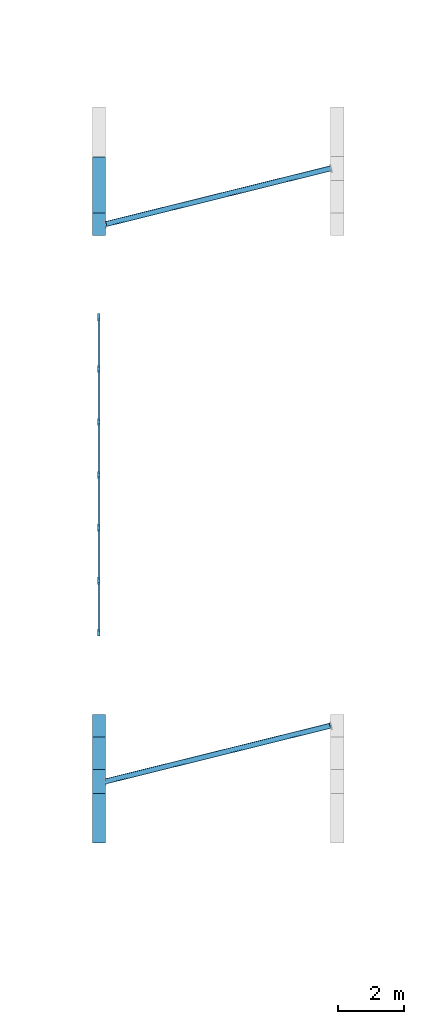
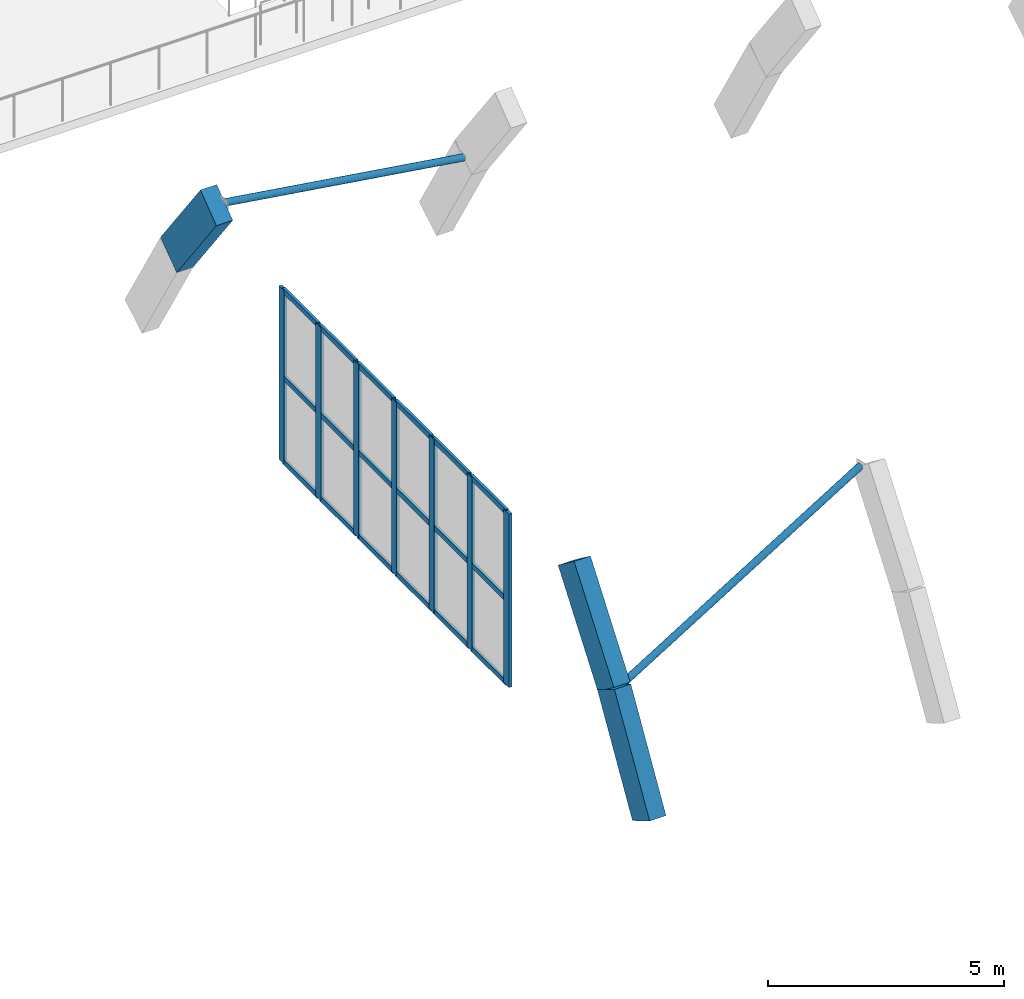
# One storey, part 19 of 85: 27 members, 3 beams, 1 element without a shape of its own.
"""IFC4 building model written with IfcOpenShell, lengths in metres."""

import ifcopenshell
import ifcopenshell.guid

model = None  # the IFC model being written
_history = None  # IfcOwnerHistory: only IFC2X3 demands one
_inside = {}  # id of a spatial element -> (the spatial element, [elements in it])
_under = {}  # id of a project, library or spatial element -> (it, [spatial elements below it])
_declared = {}  # id of a project -> (the project, [libraries it declares])
_typed = {}  # id of a type object -> (the type object, [elements of that type])
_made_of = {}  # id of a material, layer set ... -> (it, [elements and type objects made of it])


def new_model(schema):
    """Start an empty IFC model of exactly this schema.

    Asked for "IFC4X3", IfcOpenShell would pick the latest addendum, in which some entities
    have other attributes; the version numbers below select the first issue.
    IFC2X3 requires an IfcOwnerHistory on every rooted entity: one is made here for all.
    """
    global model, _history
    if schema == "IFC4X3":
        model = ifcopenshell.file(schema_version=(4, 3, 0, 0))
    else:
        model = ifcopenshell.file(schema=schema)
    _inside.clear()
    _under.clear()
    _declared.clear()
    _typed.clear()
    _made_of.clear()
    _history = None
    if model.schema == "IFC2X3":
        org = make("IfcOrganization", Name="unknown")
        user = make(
            "IfcPersonAndOrganization",
            ThePerson=make("IfcPerson", FamilyName="unknown"),
            TheOrganization=org,
        )
        app = make(
            "IfcApplication",
            ApplicationDeveloper=org,
            Version="unknown",
            ApplicationFullName="unknown",
            ApplicationIdentifier="unknown",
        )
        _history = make(
            "IfcOwnerHistory",
            OwningUser=user,
            OwningApplication=app,
            ChangeAction="ADDED",
            CreationDate=0,
        )
    return model


def make(cls, **values):
    """One entity of the class cls with the attributes given. An attribute that is None is left unset."""
    return model.create_entity(
        cls, **{name: value for name, value in values.items() if value is not None}
    )


def rooted(cls, **values):
    """An entity with a GlobalId (a new one), such as an element, a storey or a relation."""
    return make(cls, GlobalId=ifcopenshell.guid.new(), OwnerHistory=_history, **values)


def si_unit(unit_type, name, prefix=None):
    """IfcSIUnit, for example si_unit("LENGTHUNIT", "METRE", prefix="MILLI")."""
    return make("IfcSIUnit", UnitType=unit_type, Prefix=prefix, Name=name)


def assignment(units):
    """IfcUnitAssignment: the units of a project."""
    return None if units is None else make("IfcUnitAssignment", Units=units)


def point(xyz):
    """IfcCartesianPoint."""
    return None if xyz is None else make("IfcCartesianPoint", Coordinates=xyz)


def direction(xyz):
    """IfcDirection."""
    return None if xyz is None else make("IfcDirection", DirectionRatios=xyz)


def frame(location, z_axis=None, x_axis=None):
    """IfcAxis2Placement3D, a coordinate frame: its origin and axes. An axis left out is left unset."""
    return make(
        "IfcAxis2Placement3D",
        Location=point(location),
        Axis=direction(z_axis),
        RefDirection=direction(x_axis),
    )


def frame_2d(location, x_axis=None):
    """IfcAxis2Placement2D, a coordinate frame in the plane: its origin and x axis."""
    return make(
        "IfcAxis2Placement2D", Location=point(location), RefDirection=direction(x_axis)
    )


def origin():
    """The frame at (0, 0, 0) with its axes left unset."""
    return frame((0.0, 0.0, 0.0))


def origin_2d():
    """The frame at (0, 0) in the plane with its x axis left unset."""
    return frame_2d((0.0, 0.0))


def place(relative_to, where):
    """IfcLocalPlacement: puts the frame where relative to a parent placement (None: the world)."""
    return make(
        "IfcLocalPlacement", PlacementRelTo=relative_to, RelativePlacement=where
    )


def context(
    kind, dimensions, precision=None, world=None, true_north=None, identifier=None
):
    """IfcGeometricRepresentationContext, for example the 3D "Model" context."""
    return make(
        "IfcGeometricRepresentationContext",
        ContextIdentifier=identifier,
        ContextType=kind,
        CoordinateSpaceDimension=dimensions,
        Precision=precision,
        WorldCoordinateSystem=world,
        TrueNorth=true_north,
    )


def subcontext(parent, identifier, kind, view, scale=None):
    """IfcGeometricRepresentationSubContext, for example "Body" below "Model"."""
    return make(
        "IfcGeometricRepresentationSubContext",
        ContextIdentifier=identifier,
        ContextType=kind,
        ParentContext=parent,
        TargetScale=scale,
        TargetView=view,
    )


def project(units=None, contexts=None):
    """IfcProject with its units and contexts."""
    return rooted(
        "IfcProject",
        Name="project",
        RepresentationContexts=contexts,
        UnitsInContext=assignment(units),
    )


def spatial(cls, under=None, at=None, **own):
    """A site, building, storey or space (cls), placed at a placement, below another one or the project."""
    s = rooted(cls, ObjectPlacement=at, **own)
    if under is not None:
        _under.setdefault(under.id(), (under, []))[1].append(s)
    return s


def profile(cls, at=None, kind="AREA", **sizes):
    """A parametric profile (cls). Its sizes go by their IFC names, for example OverallWidth=200.0."""
    return make(cls, ProfileType=kind, Position=at, **sizes)


def rectangle(**sizes):
    """IfcRectangleProfileDef."""
    return profile("IfcRectangleProfileDef", **sizes)


def hollow_circle(**sizes):
    """IfcCircleHollowProfileDef."""
    return profile("IfcCircleHollowProfileDef", **sizes)


def extrude(swept, where, along, depth):
    """IfcExtrudedAreaSolid: the profile swept, set in the frame where, extruded along a direction by depth."""
    return make(
        "IfcExtrudedAreaSolid",
        SweptArea=swept,
        Position=where,
        ExtrudedDirection=direction(along),
        Depth=depth,
    )


def shape(context_of_items, identifier, shape_type, items):
    """IfcShapeRepresentation: the items that make up one representation, for example the "Body"."""
    return make(
        "IfcShapeRepresentation",
        ContextOfItems=context_of_items,
        RepresentationIdentifier=identifier,
        RepresentationType=shape_type,
        Items=items,
    )


def material(Name=None, Category=None):
    """IfcMaterial."""
    return make("IfcMaterial", Name=Name, Category=Category)


def layer(
    of_material, thickness, ventilated=None, Name=None, Category=None, Priority=None
):
    """IfcMaterialLayer: one layer of a wall or slab, of a material (None: an air gap)."""
    return make(
        "IfcMaterialLayer",
        Material=of_material,
        LayerThickness=thickness,
        IsVentilated=ventilated,
        Name=Name,
        Category=Category,
        Priority=Priority,
    )


def layer_set(layers, Name=None):
    """IfcMaterialLayerSet."""
    return make("IfcMaterialLayerSet", MaterialLayers=layers, LayerSetName=Name)


def material_profile(
    of_material, cross_section, Name=None, Category=None, Priority=None
):
    """IfcMaterialProfile: a cross section and its material."""
    return make(
        "IfcMaterialProfile",
        Name=Name,
        Material=of_material,
        Profile=cross_section,
        Priority=Priority,
        Category=Category,
    )


def profile_set(profiles, Name=None, composite=None):
    """IfcMaterialProfileSet."""
    return make(
        "IfcMaterialProfileSet",
        Name=Name,
        MaterialProfiles=profiles,
        CompositeProfile=composite,
    )


def made_of(thing, what):
    """Note that an element or type object is made of a material, layer set ...; save() writes the relation."""
    if what is not None:
        _made_of.setdefault(what.id(), (what, []))[1].append(thing)
    return thing


def type_object(cls, material=None, **own):
    """A type object (cls), such as IfcWallType, which elements share."""
    return made_of(rooted(cls, **own), material)


def element(
    cls,
    number,
    at=None,
    inside=None,
    cuts=None,
    type_object=None,
    material=None,
    context=None,
    identifier="Body",
    shape_type=None,
    held_by="IfcProductDefinitionShape",
    body=None,
    shapes=None,
    **own,
):
    """One element of the class cls, such as IfcWall. Its Tag is "e" and its number.

    at: its placement. inside: the storey or other place that contains it. cuts: it is an
    opening in that element (IfcRelVoidsElement). A single representation is given by context,
    identifier, shape_type and body (its items); several are given by shapes. held_by: the class
    of the entity that holds the representations. save() writes the other relations.
    """
    e = rooted(cls, Tag="e%d" % number, ObjectPlacement=at, **own)
    if body is not None:
        shapes = [shape(context, identifier, shape_type, body)]
    if shapes is not None:
        e.Representation = make(held_by, Representations=shapes)
    if inside is not None:
        _inside.setdefault(inside.id(), (inside, []))[1].append(e)
    if cuts is not None:
        rooted(
            "IfcRelVoidsElement", RelatingBuildingElement=cuts, RelatedOpeningElement=e
        )
    if type_object is not None:
        _typed.setdefault(type_object.id(), (type_object, []))[1].append(e)
    return made_of(e, material)


def aggregate(whole, parts):
    """IfcRelAggregates: a whole, such as a stair, and the parts it consists of."""
    return rooted("IfcRelAggregates", RelatingObject=whole, RelatedObjects=parts)


def save(model, path):
    """Write the relations noted so far, then the file.

    IfcRelAggregates (storeys below a building ...), IfcRelContainedInSpatialStructure (elements
    in a storey), IfcRelDefinesByType, IfcRelAssociatesMaterial and IfcRelDeclares: one each for
    every whole, place, type object, material and project.
    """
    for whole, parts in _under.values():
        aggregate(whole, parts)
    for where, things in _inside.values():
        rooted(
            "IfcRelContainedInSpatialStructure",
            RelatedElements=things,
            RelatingStructure=where,
        )
    for kind, things in _typed.values():
        rooted("IfcRelDefinesByType", RelatedObjects=things, RelatingType=kind)
    for what, things in _made_of.values():
        rooted("IfcRelAssociatesMaterial", RelatedObjects=things, RelatingMaterial=what)
    for by, libraries in _declared.values():
        rooted("IfcRelDeclares", RelatingContext=by, RelatedDefinitions=libraries)
    model.write(path)


model = new_model("IFC4")

# Units and contexts
model_context = context("Model", 3, precision=1e-05, world=origin(), true_north=direction((0.0, 1.0)))
body_context = subcontext(model_context, "Body", "Model", "MODEL_VIEW")
ifc_project = project(units=[si_unit("LENGTHUNIT", "METRE"), si_unit("AREAUNIT", "SQUARE_METRE"), si_unit("VOLUMEUNIT", "CUBIC_METRE"), si_unit("PLANEANGLEUNIT", "RADIAN"), si_unit("MASSUNIT", "GRAM", prefix="KILO")], contexts=[model_context])

# Site, building, storey
site_placement = place(None, origin())
site = spatial("IfcSite", under=ifc_project, at=site_placement, CompositionType="ELEMENT")
building_placement = place(site_placement, origin())
building = spatial("IfcBuilding", under=site, at=building_placement, Name="Ochrevale Crest", CompositionType="ELEMENT")
storey_placement = place(building_placement, frame((0.0, 0.0, 4.5)))
storey = spatial("IfcBuildingStorey", under=building, at=storey_placement, Name="L01", CompositionType="ELEMENT", Elevation=4.5)

# Beams
ifc_material_1 = material(Name="Precast concrete C50/60", Category="concrete")
ifc_material_profile_1 = material_profile(ifc_material_1, rectangle(XDim=0.39990234375, YDim=0.85009765625, at=origin_2d()), Name="PC 400x850")
ifc_profile_set_1 = profile_set([ifc_material_profile_1], Name="Precast concrete C50/60")
beam_type = type_object("IfcBeamType", Name="BM-AR400x850", PredefinedType="BEAM", material=ifc_profile_set_1)
beam_placement = place(storey_placement, frame((57.60009765625, 43.25, 0.280029296875), z_axis=(0.0, 0.513061889278, 0.858351616629), x_axis=(-1.0, 0.0, 0.0)))
element("IfcBeam", 1, at=beam_placement, inside=storey, type_object=beam_type, Name="Precast vault arch rib AR-01 chord 1", PredefinedType="BEAM", context=body_context, shape_type="SweptSolid", body=[
    extrude(rectangle(XDim=0.39990234375, YDim=0.85009765625, at=origin_2d()), origin(), (0.0, 0.0, 1.0), 2.906005859375),
])
for number, where, z_axis, x_axis, name in (
    (2, (57.60009765625, 44.740966796875, 2.7744140625), (0.0, 0.60146279032, 0.798900814783), (-1.0, 0.0, 0.0), "Precast vault arch rib AR-01 chord 2"),
    (3, (57.60009765625, 61.57373046875, 5.012939453125), (0.0, 0.60146279032, -0.798900814783), (-1.0, 0.0, 0.0), "Precast vault arch rib AR-01 chord 9"),
):
    element("IfcBeam", number, at=place(storey_placement, frame(where, z_axis=z_axis, x_axis=x_axis)), inside=storey, type_object=beam_type, Name=name, PredefinedType="BEAM", context=body_context, shape_type="SweptSolid", body=[
        extrude(rectangle(XDim=0.39990234375, YDim=0.85009765625, at=origin_2d()), origin(), (0.0, 0.0, 1.0), 2.802001953125),
    ])

# Curtain wall, members
ifc_material_2 = material(Name="Anodised aluminium 6063-T5", Category="aluminium")
ifc_layer = layer(ifc_material_2, 0.14990234375)
ifc_layer_set = layer_set([ifc_layer], Name="Anodised aluminium 6063-T5")
curtain_wall_type = type_object("IfcCurtainWallType", Name="CW-HALL-960x430", PredefinedType="NOTDEFINED", material=ifc_layer_set)
curtain_wall_placement = place(storey_placement, origin())
curtain_wall = element("IfcCurtainWall", 4, at=curtain_wall_placement, inside=storey, type_object=curtain_wall_type, Name="Community Hall W barrel-vault glazed tympanum curtain wall", PredefinedType="NOTDEFINED")
ifc_material_profile_2 = material_profile(ifc_material_2, rectangle(XDim=0.074951171875, YDim=0.219970703125, at=origin_2d()), Name="ALU 75x220")
ifc_profile_set_2 = profile_set([ifc_material_profile_2], Name="Anodised aluminium 6063-T5")
member_type_1 = type_object("IfcMemberType", Name="CW-MUL-75x220", PredefinedType="MULLION", material=ifc_profile_set_2)
member_1_placement = place(storey_placement, frame((57.60009765625, 49.237548828125, 0.10009765625), z_axis=(0.0, 0.0, 1.0), x_axis=(-1.0, 0.0, 0.0)))
member_1 = element("IfcMember", 5, at=member_1_placement, type_object=member_type_1, Name="CW21 mullion 1", PredefinedType="MULLION", context=body_context, shape_type="SweptSolid", body=[
    extrude(rectangle(XDim=0.074951171875, YDim=0.219970703125, at=origin_2d()), origin(), (0.0, 0.0, 1.0), 4.47998046875),
])
member_2_placement = place(storey_placement, frame((57.60009765625, 50.800048828125, 0.10009765625), z_axis=(0.0, 0.0, 1.0), x_axis=(-1.0, 0.0, 0.0)))
member_2 = element("IfcMember", 6, at=member_2_placement, type_object=member_type_1, Name="CW21 mullion 2", PredefinedType="MULLION", context=body_context, shape_type="SweptSolid", body=[
    extrude(rectangle(XDim=0.074951171875, YDim=0.219970703125, at=origin_2d()), origin(), (0.0, 0.0, 1.0), 4.47998046875),
])
member_3_placement = place(storey_placement, frame((57.60009765625, 52.39990234375, 0.10009765625), z_axis=(0.0, 0.0, 1.0), x_axis=(-1.0, 0.0, 0.0)))
member_3 = element("IfcMember", 7, at=member_3_placement, type_object=member_type_1, Name="CW21 mullion 3", PredefinedType="MULLION", context=body_context, shape_type="SweptSolid", body=[
    extrude(rectangle(XDim=0.074951171875, YDim=0.219970703125, at=origin_2d()), origin(), (0.0, 0.0, 1.0), 4.47998046875),
])
member_4_placement = place(storey_placement, frame((57.60009765625, 54.0, 0.10009765625), z_axis=(0.0, 0.0, 1.0), x_axis=(-1.0, 0.0, 0.0)))
member_4 = element("IfcMember", 8, at=member_4_placement, type_object=member_type_1, Name="CW21 mullion 4", PredefinedType="MULLION", context=body_context, shape_type="SweptSolid", body=[
    extrude(rectangle(XDim=0.074951171875, YDim=0.219970703125, at=origin_2d()), origin(), (0.0, 0.0, 1.0), 4.47998046875),
])
member_5_placement = place(storey_placement, frame((57.60009765625, 55.60009765625, 0.10009765625), z_axis=(0.0, 0.0, 1.0), x_axis=(-1.0, 0.0, 0.0)))
member_5 = element("IfcMember", 9, at=member_5_placement, type_object=member_type_1, Name="CW21 mullion 5", PredefinedType="MULLION", context=body_context, shape_type="SweptSolid", body=[
    extrude(rectangle(XDim=0.074951171875, YDim=0.219970703125, at=origin_2d()), origin(), (0.0, 0.0, 1.0), 4.47998046875),
])
member_6_placement = place(storey_placement, frame((57.60009765625, 57.199951171875, 0.10009765625), z_axis=(0.0, 0.0, 1.0), x_axis=(-1.0, 0.0, 0.0)))
member_6 = element("IfcMember", 10, at=member_6_placement, type_object=member_type_1, Name="CW21 mullion 6", PredefinedType="MULLION", context=body_context, shape_type="SweptSolid", body=[
    extrude(rectangle(XDim=0.074951171875, YDim=0.219970703125, at=origin_2d()), origin(), (0.0, 0.0, 1.0), 4.47998046875),
])
member_7_placement = place(storey_placement, frame((57.60009765625, 58.762451171875, 0.10009765625), z_axis=(0.0, 0.0, 1.0), x_axis=(-1.0, 0.0, 0.0)))
member_7 = element("IfcMember", 11, at=member_7_placement, type_object=member_type_1, Name="CW21 mullion 7", PredefinedType="MULLION", context=body_context, shape_type="SweptSolid", body=[
    extrude(rectangle(XDim=0.074951171875, YDim=0.219970703125, at=origin_2d()), origin(), (0.0, 0.0, 1.0), 4.47998046875),
])
ifc_material_profile_3 = material_profile(ifc_material_2, rectangle(XDim=0.06494140625, YDim=0.135009765625, at=origin_2d()), Name="ALU 65x135")
ifc_profile_set_3 = profile_set([ifc_material_profile_3], Name="Anodised aluminium 6063-T5")
member_type_2 = type_object("IfcMemberType", Name="CW-TRN-65x135", PredefinedType="USERDEFINED", material=ifc_profile_set_3)
member_8_placement = place(storey_placement, frame((57.60009765625, 49.27490234375, 0.132568359375), z_axis=(0.0, 1.0, 0.0), x_axis=(-1.0, 0.0, 0.0)))
member_8 = element("IfcMember", 12, at=member_8_placement, type_object=member_type_2, Name="CW21 transom 1.1", ObjectType="TRANSOM", PredefinedType="USERDEFINED", context=body_context, shape_type="SweptSolid", body=[
    extrude(rectangle(XDim=0.06494140625, YDim=0.135009765625, at=origin_2d()), origin(), (0.0, 0.0, 1.0), 1.487548828125),
])
member_9_placement = place(storey_placement, frame((57.60009765625, 49.27490234375, 2.300048828125), z_axis=(0.0, 1.0, 0.0), x_axis=(-1.0, 0.0, 0.0)))
member_9 = element("IfcMember", 13, at=member_9_placement, type_object=member_type_2, Name="CW21 transom 1.2", ObjectType="TRANSOM", PredefinedType="USERDEFINED", context=body_context, shape_type="SweptSolid", body=[
    extrude(rectangle(XDim=0.06494140625, YDim=0.135009765625, at=origin_2d()), origin(), (0.0, 0.0, 1.0), 1.487548828125),
])
member_10_placement = place(storey_placement, frame((57.60009765625, 49.27490234375, 4.547607421875), z_axis=(0.0, 1.0, 0.0), x_axis=(-1.0, 0.0, 0.0)))
member_10 = element("IfcMember", 14, at=member_10_placement, type_object=member_type_2, Name="CW21 transom 1.3", ObjectType="TRANSOM", PredefinedType="USERDEFINED", context=body_context, shape_type="SweptSolid", body=[
    extrude(rectangle(XDim=0.06494140625, YDim=0.135009765625, at=origin_2d()), origin(), (0.0, 0.0, 1.0), 1.487548828125),
])
member_11_placement = place(storey_placement, frame((57.60009765625, 50.83740234375, 0.132568359375), z_axis=(0.0, 1.0, 0.0), x_axis=(-1.0, 0.0, 0.0)))
member_11 = element("IfcMember", 15, at=member_11_placement, type_object=member_type_2, Name="CW21 transom 2.1", ObjectType="TRANSOM", PredefinedType="USERDEFINED", context=body_context, shape_type="SweptSolid", body=[
    extrude(rectangle(XDim=0.06494140625, YDim=0.135009765625, at=origin_2d()), origin(), (0.0, 0.0, 1.0), 1.525146484375),
])
member_12_placement = place(storey_placement, frame((57.60009765625, 50.83740234375, 2.300048828125), z_axis=(0.0, 1.0, 0.0), x_axis=(-1.0, 0.0, 0.0)))
member_12 = element("IfcMember", 16, at=member_12_placement, type_object=member_type_2, Name="CW21 transom 2.2", ObjectType="TRANSOM", PredefinedType="USERDEFINED", context=body_context, shape_type="SweptSolid", body=[
    extrude(rectangle(XDim=0.06494140625, YDim=0.135009765625, at=origin_2d()), origin(), (0.0, 0.0, 1.0), 1.525146484375),
])
member_13_placement = place(storey_placement, frame((57.60009765625, 50.83740234375, 4.547607421875), z_axis=(0.0, 1.0, 0.0), x_axis=(-1.0, 0.0, 0.0)))
member_13 = element("IfcMember", 17, at=member_13_placement, type_object=member_type_2, Name="CW21 transom 2.3", ObjectType="TRANSOM", PredefinedType="USERDEFINED", context=body_context, shape_type="SweptSolid", body=[
    extrude(rectangle(XDim=0.06494140625, YDim=0.135009765625, at=origin_2d()), origin(), (0.0, 0.0, 1.0), 1.525146484375),
])
member_14_placement = place(storey_placement, frame((57.60009765625, 52.4375, 0.132568359375), z_axis=(0.0, 1.0, 0.0), x_axis=(-1.0, 0.0, 0.0)))
member_14 = element("IfcMember", 18, at=member_14_placement, type_object=member_type_2, Name="CW21 transom 3.1", ObjectType="TRANSOM", PredefinedType="USERDEFINED", context=body_context, shape_type="SweptSolid", body=[
    extrude(rectangle(XDim=0.06494140625, YDim=0.135009765625, at=origin_2d()), origin(), (0.0, 0.0, 1.0), 1.52490234375),
])
member_15_placement = place(storey_placement, frame((57.60009765625, 52.4375, 2.300048828125), z_axis=(0.0, 1.0, 0.0), x_axis=(-1.0, 0.0, 0.0)))
member_15 = element("IfcMember", 19, at=member_15_placement, type_object=member_type_2, Name="CW21 transom 3.2", ObjectType="TRANSOM", PredefinedType="USERDEFINED", context=body_context, shape_type="SweptSolid", body=[
    extrude(rectangle(XDim=0.06494140625, YDim=0.135009765625, at=origin_2d()), origin(), (0.0, 0.0, 1.0), 1.52490234375),
])
member_16_placement = place(storey_placement, frame((57.60009765625, 52.4375, 4.547607421875), z_axis=(0.0, 1.0, 0.0), x_axis=(-1.0, 0.0, 0.0)))
member_16 = element("IfcMember", 20, at=member_16_placement, type_object=member_type_2, Name="CW21 transom 3.3", ObjectType="TRANSOM", PredefinedType="USERDEFINED", context=body_context, shape_type="SweptSolid", body=[
    extrude(rectangle(XDim=0.06494140625, YDim=0.135009765625, at=origin_2d()), origin(), (0.0, 0.0, 1.0), 1.52490234375),
])
member_17_placement = place(storey_placement, frame((57.60009765625, 54.03759765625, 0.132568359375), z_axis=(0.0, 1.0, 0.0), x_axis=(-1.0, 0.0, 0.0)))
member_17 = element("IfcMember", 21, at=member_17_placement, type_object=member_type_2, Name="CW21 transom 4.1", ObjectType="TRANSOM", PredefinedType="USERDEFINED", context=body_context, shape_type="SweptSolid", body=[
    extrude(rectangle(XDim=0.06494140625, YDim=0.135009765625, at=origin_2d()), origin(), (0.0, 0.0, 1.0), 1.52490234375),
])
member_18_placement = place(storey_placement, frame((57.60009765625, 54.03759765625, 2.300048828125), z_axis=(0.0, 1.0, 0.0), x_axis=(-1.0, 0.0, 0.0)))
member_18 = element("IfcMember", 22, at=member_18_placement, type_object=member_type_2, Name="CW21 transom 4.2", ObjectType="TRANSOM", PredefinedType="USERDEFINED", context=body_context, shape_type="SweptSolid", body=[
    extrude(rectangle(XDim=0.06494140625, YDim=0.135009765625, at=origin_2d()), origin(), (0.0, 0.0, 1.0), 1.52490234375),
])
member_19_placement = place(storey_placement, frame((57.60009765625, 54.03759765625, 4.547607421875), z_axis=(0.0, 1.0, 0.0), x_axis=(-1.0, 0.0, 0.0)))
member_19 = element("IfcMember", 23, at=member_19_placement, type_object=member_type_2, Name="CW21 transom 4.3", ObjectType="TRANSOM", PredefinedType="USERDEFINED", context=body_context, shape_type="SweptSolid", body=[
    extrude(rectangle(XDim=0.06494140625, YDim=0.135009765625, at=origin_2d()), origin(), (0.0, 0.0, 1.0), 1.52490234375),
])
member_20_placement = place(storey_placement, frame((57.60009765625, 55.637451171875, 0.132568359375), z_axis=(0.0, 1.0, 0.0), x_axis=(-1.0, 0.0, 0.0)))
member_20 = element("IfcMember", 24, at=member_20_placement, type_object=member_type_2, Name="CW21 transom 5.1", ObjectType="TRANSOM", PredefinedType="USERDEFINED", context=body_context, shape_type="SweptSolid", body=[
    extrude(rectangle(XDim=0.06494140625, YDim=0.135009765625, at=origin_2d()), origin(), (0.0, 0.0, 1.0), 1.525146484375),
])
member_21_placement = place(storey_placement, frame((57.60009765625, 55.637451171875, 2.300048828125), z_axis=(0.0, 1.0, 0.0), x_axis=(-1.0, 0.0, 0.0)))
member_21 = element("IfcMember", 25, at=member_21_placement, type_object=member_type_2, Name="CW21 transom 5.2", ObjectType="TRANSOM", PredefinedType="USERDEFINED", context=body_context, shape_type="SweptSolid", body=[
    extrude(rectangle(XDim=0.06494140625, YDim=0.135009765625, at=origin_2d()), origin(), (0.0, 0.0, 1.0), 1.525146484375),
])
member_22_placement = place(storey_placement, frame((57.60009765625, 55.637451171875, 4.547607421875), z_axis=(0.0, 1.0, 0.0), x_axis=(-1.0, 0.0, 0.0)))
member_22 = element("IfcMember", 26, at=member_22_placement, type_object=member_type_2, Name="CW21 transom 5.3", ObjectType="TRANSOM", PredefinedType="USERDEFINED", context=body_context, shape_type="SweptSolid", body=[
    extrude(rectangle(XDim=0.06494140625, YDim=0.135009765625, at=origin_2d()), origin(), (0.0, 0.0, 1.0), 1.525146484375),
])
member_23_placement = place(storey_placement, frame((57.60009765625, 57.237548828125, 0.132568359375), z_axis=(0.0, 1.0, 0.0), x_axis=(-1.0, 0.0, 0.0)))
member_23 = element("IfcMember", 27, at=member_23_placement, type_object=member_type_2, Name="CW21 transom 6.1", ObjectType="TRANSOM", PredefinedType="USERDEFINED", context=body_context, shape_type="SweptSolid", body=[
    extrude(rectangle(XDim=0.06494140625, YDim=0.135009765625, at=origin_2d()), origin(), (0.0, 0.0, 1.0), 1.487548828125),
])
member_24_placement = place(storey_placement, frame((57.60009765625, 57.237548828125, 2.300048828125), z_axis=(0.0, 1.0, 0.0), x_axis=(-1.0, 0.0, 0.0)))
member_24 = element("IfcMember", 28, at=member_24_placement, type_object=member_type_2, Name="CW21 transom 6.2", ObjectType="TRANSOM", PredefinedType="USERDEFINED", context=body_context, shape_type="SweptSolid", body=[
    extrude(rectangle(XDim=0.06494140625, YDim=0.135009765625, at=origin_2d()), origin(), (0.0, 0.0, 1.0), 1.487548828125),
])
member_25_placement = place(storey_placement, frame((57.60009765625, 57.237548828125, 4.547607421875), z_axis=(0.0, 1.0, 0.0), x_axis=(-1.0, 0.0, 0.0)))
member_25 = element("IfcMember", 29, at=member_25_placement, type_object=member_type_2, Name="CW21 transom 6.3", ObjectType="TRANSOM", PredefinedType="USERDEFINED", context=body_context, shape_type="SweptSolid", body=[
    extrude(rectangle(XDim=0.06494140625, YDim=0.135009765625, at=origin_2d()), origin(), (0.0, 0.0, 1.0), 1.487548828125),
])
aggregate(curtain_wall, [member_1, member_2, member_3, member_4, member_5, member_6, member_7, member_8, member_9, member_10, member_11, member_12, member_13, member_14, member_15, member_16, member_17, member_18, member_19, member_20, member_21, member_22, member_23, member_24, member_25])

# Members
ifc_material_3 = material(Name="Steel S355", Category="steel")
ifc_material_profile_4 = material_profile(ifc_material_3, hollow_circle(Radius=0.084228515625, WallThickness=0.00634765625, at=origin_2d()), Name="168.3x6.4CHS")
ifc_profile_set_4 = profile_set([ifc_material_profile_4], Name="Steel S355")
member_type_3 = type_object("IfcMemberType", Name="MEM-CHS168-BR", PredefinedType="BRACE", material=ifc_profile_set_4)
for number, where, z_axis, x_axis, name in (
    (30, (57.800048828125, 44.740966796875, 2.7744140625), (0.924582973911, 0.229145739019, 0.30436582371), (-0.24055900848, 0.970634515891, 0.0), "Community Hall vault CHS lateral brace B1-1"),
    (31, (57.800048828125, 61.57373046875, 5.012939453125), (0.924582973911, 0.229145739019, -0.30436582371), (-0.24055900848, 0.970634515891, 0.0), "Community Hall vault CHS lateral brace B1-8"),
):
    element("IfcMember", number, at=place(storey_placement, frame(where, z_axis=z_axis, x_axis=x_axis)), inside=storey, type_object=member_type_3, Name=name, PredefinedType="BRACE", context=body_context, shape_type="SweptSolid", body=[
        extrude(hollow_circle(Radius=0.084228515625, WallThickness=0.00634765625, at=origin_2d()), origin(), (0.0, 0.0, 1.0), 7.354736328125),
    ])

save(model, "model.ifc")
